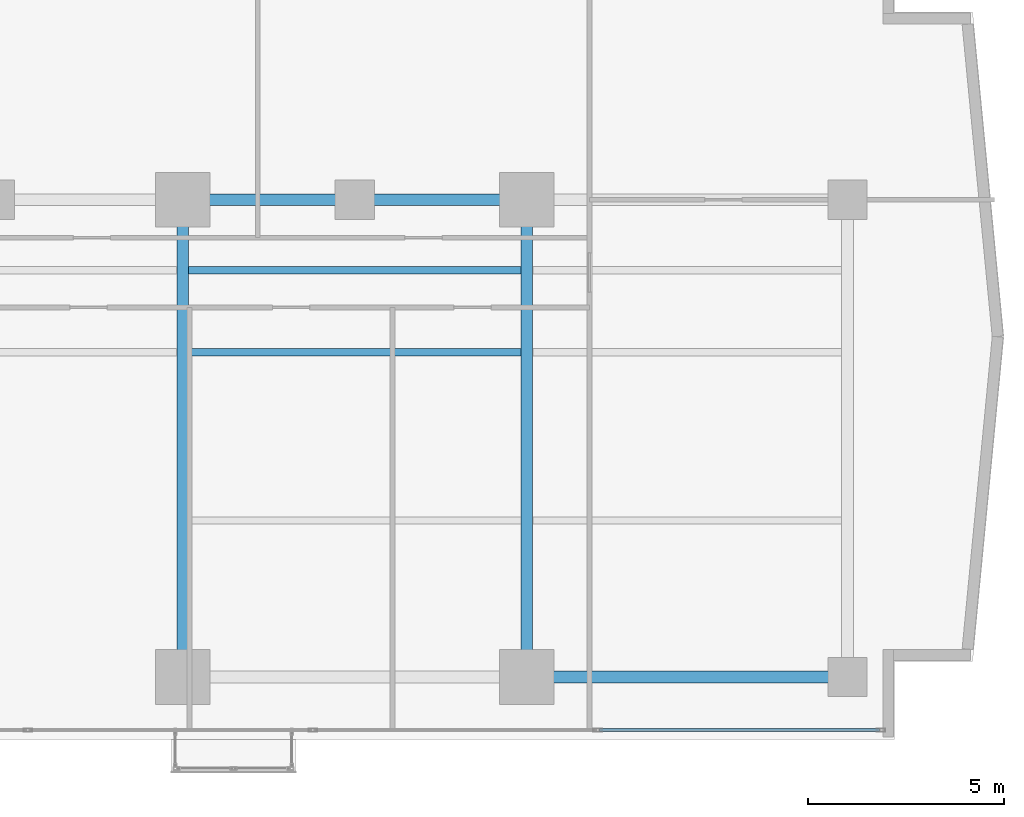
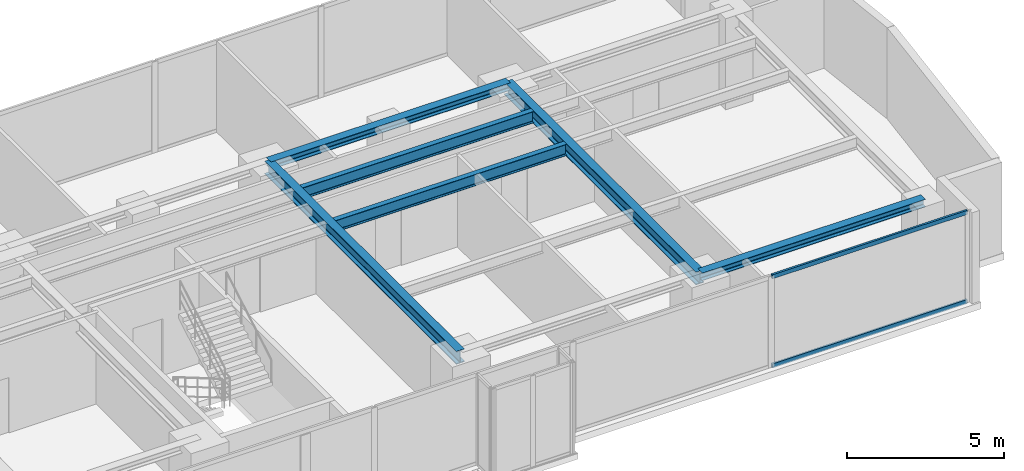
# One storey, part 12 of 28: 6 beams, 2 members, 1 element without a shape of its own.
"""IFC4 building model written with IfcOpenShell, lengths in metres."""

from ifc_helpers import new_model, si_unit, direction, frame, origin, origin_with_axes, origin_2d, place, context, subcontext, project, spatial, hollow_rectangle, i_section, extrude, source, transform, mapped, material, layer, layer_set, material_profile, profile_set, type_object, element, aggregate, save


model = new_model("IFC4")

# Units and contexts
model_context = context("Model", 3, precision=1e-05, world=origin(), true_north=direction((0.0, 1.0)))
body_context = subcontext(model_context, "Body", "Model", "MODEL_VIEW")
ifc_project = project(units=[si_unit("LENGTHUNIT", "METRE"), si_unit("AREAUNIT", "SQUARE_METRE"), si_unit("VOLUMEUNIT", "CUBIC_METRE"), si_unit("PLANEANGLEUNIT", "RADIAN"), si_unit("MASSUNIT", "GRAM", prefix="KILO")], contexts=[model_context])

# Site, building, storey
site_placement = place(None, origin())
site = spatial("IfcSite", under=ifc_project, at=site_placement, CompositionType="ELEMENT")
building_placement = place(site_placement, origin())
building = spatial("IfcBuilding", under=site, at=building_placement, Name="Kolvaren Waterfront Exchange", CompositionType="ELEMENT")
storey_placement = place(building_placement, frame((0.0, 0.0, 103.10009765625)))
storey = spatial("IfcBuildingStorey", under=building, at=storey_placement, Name="L26", CompositionType="ELEMENT", Elevation=103.10009765625)

# Beams
ifc_material_1 = material(Name="Steel S355", Category="steel")
ifc_material_profile_1 = material_profile(ifc_material_1, i_section(OverallWidth=0.300048828125, OverallDepth=0.300048828125, WebThickness=0.010986328125, FlangeThickness=0.01904296875, FilletRadius=0.027099609375, at=origin_2d()), Name="HEB300")
ifc_profile_set_1 = profile_set([ifc_material_profile_1], Name="Steel S355")
beam_type_1 = type_object("IfcBeamType", Name="STR-BM-HEB300", PredefinedType="SPANDREL", material=ifc_profile_set_1)
beam_1_placement = place(storey_placement, frame((45.60009765625, 5.199951171875, 3.389892578125), z_axis=(1.0, 0.0, 0.0), x_axis=(0.0, 1.0, 0.0)))
element("IfcBeam", 1, at=beam_1_placement, inside=storey, type_object=beam_type_1, Name="L26 east-arm spandrel S4", PredefinedType="SPANDREL", context=body_context, shape_type="SweptSolid", body=[
    extrude(i_section(OverallWidth=0.300048828125, OverallDepth=0.300048828125, WebThickness=0.010986328125, FlangeThickness=0.01904296875, FilletRadius=0.027099609375, at=origin_2d()), origin(), (0.0, 0.0, 1.0), 8.199951171875),
])
beam_2_placement = place(storey_placement, frame((36.800048828125, 17.39990234375, 3.389892578125), z_axis=(1.0, 0.0, 0.0), x_axis=(0.0, 1.0, 0.0)))
element("IfcBeam", 2, at=beam_2_placement, inside=storey, type_object=beam_type_1, Name="L26 east-arm spandrel N3", PredefinedType="SPANDREL", context=body_context, shape_type="SweptSolid", body=[
    extrude(i_section(OverallWidth=0.300048828125, OverallDepth=0.300048828125, WebThickness=0.010986328125, FlangeThickness=0.01904296875, FilletRadius=0.027099609375, at=origin_2d()), origin(), (0.0, 0.0, 1.0), 8.800048828125),
])
ifc_material_profile_2 = material_profile(ifc_material_1, i_section(OverallWidth=0.300048828125, OverallDepth=0.5, WebThickness=0.014404296875, FlangeThickness=0.028076171875, FilletRadius=0.027099609375, at=origin_2d()), Name="HEB500")
ifc_profile_set_2 = profile_set([ifc_material_profile_2], Name="Steel S355")
beam_type_2 = type_object("IfcBeamType", Name="STR-BM-HEB500", PredefinedType="BEAM", material=ifc_profile_set_2)
for number, where, z_axis, x_axis, name in (
    (3, (36.800048828125, 5.199951171875, 3.289794921875), (0.0, 1.0, 0.0), (-1.0, 0.0, 0.0), "L26 east-arm transverse girder X36"),
    (4, (45.60009765625, 5.199951171875, 3.289794921875), (0.0, 1.0, 0.0), (-1.0, 0.0, 0.0), "L26 east-arm transverse girder X45"),
):
    element("IfcBeam", number, at=place(storey_placement, frame(where, z_axis=z_axis, x_axis=x_axis)), inside=storey, type_object=beam_type_2, Name=name, PredefinedType="BEAM", context=body_context, shape_type="SweptSolid", body=[
        extrude(i_section(OverallWidth=0.300048828125, OverallDepth=0.5, WebThickness=0.014404296875, FlangeThickness=0.028076171875, FilletRadius=0.027099609375, at=origin_2d()), origin(), (0.0, 0.0, 1.0), 12.199951171875),
    ])
ifc_material_profile_3 = material_profile(ifc_material_1, i_section(OverallWidth=0.18994140625, OverallDepth=0.449951171875, WebThickness=0.009521484375, FlangeThickness=0.0146484375, FilletRadius=0.02099609375, at=origin_2d()), Name="IPE450")
ifc_profile_set_3 = profile_set([ifc_material_profile_3], Name="Steel S355")
beam_type_3 = type_object("IfcBeamType", Name="STR-BM-IPE450", PredefinedType="JOIST", material=ifc_profile_set_3)
for number, where, z_axis, x_axis, name in (
    (5, (36.951904296875, 13.5, 3.31494140625), (1.0, 0.0, 0.0), (0.0, 1.0, 0.0), "L26 east-arm composite joist 3A"),
    (6, (36.951904296875, 15.60009765625, 3.31494140625), (1.0, 0.0, 0.0), (0.0, 1.0, 0.0), "L26 east-arm composite joist 3C"),
):
    element("IfcBeam", number, at=place(storey_placement, frame(where, z_axis=z_axis, x_axis=x_axis)), inside=storey, type_object=beam_type_3, Name=name, PredefinedType="JOIST", context=body_context, shape_type="SweptSolid", body=[
        extrude(i_section(OverallWidth=0.18994140625, OverallDepth=0.449951171875, WebThickness=0.009521484375, FlangeThickness=0.0146484375, FilletRadius=0.02099609375, at=origin_2d()), origin(), (0.0, 0.0, 1.0), 8.49609375),
    ])

# Curtain wall, members
ifc_material_2 = material(Name="Anodised bronze aluminium 6063-T6", Category="aluminium")
ifc_layer = layer(ifc_material_2, 0.219970703125, Name="Anodised bronze aluminium 6063-T6")
ifc_layer_set = layer_set([ifc_layer], Name="Anodised bronze aluminium 6063-T6")
curtain_wall_type = type_object("IfcCurtainWallType", Name="ARC-CW-SYS1", PredefinedType="USERDEFINED", material=ifc_layer_set)
curtain_wall_placement = place(storey_placement, origin())
curtain_wall = element("IfcCurtainWall", 7, at=curtain_wall_placement, inside=storey, type_object=curtain_wall_type, Name="L26 stick curtain wall CW1 (CW-L26-S)", ObjectType="STICK CURTAIN WALL", PredefinedType="USERDEFINED")
ifc_material_3 = material(Name="Anodised aluminium 6063-T6", Category="aluminium")
ifc_material_profile_4 = material_profile(ifc_material_3, hollow_rectangle(XDim=0.074951171875, YDim=0.159912109375, WallThickness=0.00439453125, at=origin_2d()), Name="ALU-TRN-160x75x4.5")
ifc_profile_set_4 = profile_set([ifc_material_profile_4], Name="Anodised aluminium 6063-T6")
member_type = type_object("IfcMemberType", Name="ARC-CWT-160", PredefinedType="USERDEFINED", material=ifc_profile_set_4)
shared_shape = source(origin_with_axes(), body_context, "Body", "SweptSolid", [
    extrude(hollow_rectangle(XDim=0.074951171875, YDim=0.159912109375, WallThickness=0.00439453125, at=origin_2d()), origin(), (0.0, 0.0, 1.0), 7.165771484375),
])
member_1_placement = place(storey_placement, frame((47.454345703125, 3.840087890625, 0.037353515625), z_axis=(1.0, 0.0, 0.0), x_axis=(0.0, 1.0, 0.0)))
member_1 = element("IfcMember", 8, at=member_1_placement, type_object=member_type, Name="CW1 transom 7.1", ObjectType="TRANSOM", PredefinedType="USERDEFINED", context=body_context, shape_type="MappedRepresentation", body=[
    mapped(shared_shape, transform((0.0, 0.0, 0.0), x_axis=(1.0, 0.0, 0.0), y_axis=(0.0, 1.0, 0.0), z_axis=(0.0, 0.0, 1.0), scale=1.0)),
])
member_2_placement = place(storey_placement, frame((47.454345703125, 3.840087890625, 3.50244140625), z_axis=(1.0, 0.0, 0.0), x_axis=(0.0, 1.0, 0.0)))
member_2 = element("IfcMember", 9, at=member_2_placement, type_object=member_type, Name="CW1 transom 7.2", ObjectType="TRANSOM", PredefinedType="USERDEFINED", context=body_context, shape_type="MappedRepresentation", body=[
    mapped(shared_shape, transform((0.0, 0.0, 0.0), x_axis=(1.0, 0.0, 0.0), y_axis=(0.0, 1.0, 0.0), z_axis=(0.0, 0.0, 1.0), scale=1.0)),
])
aggregate(curtain_wall, [member_1, member_2])

save(model, "model.ifc")
